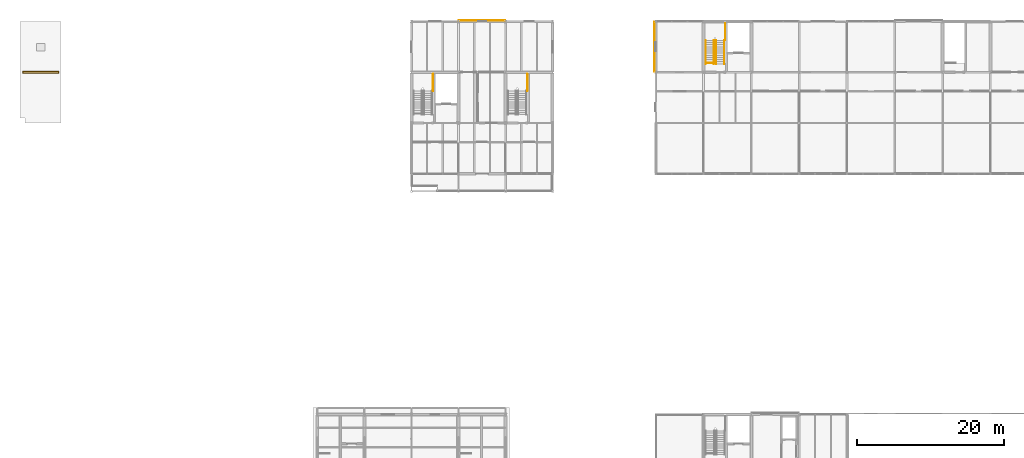
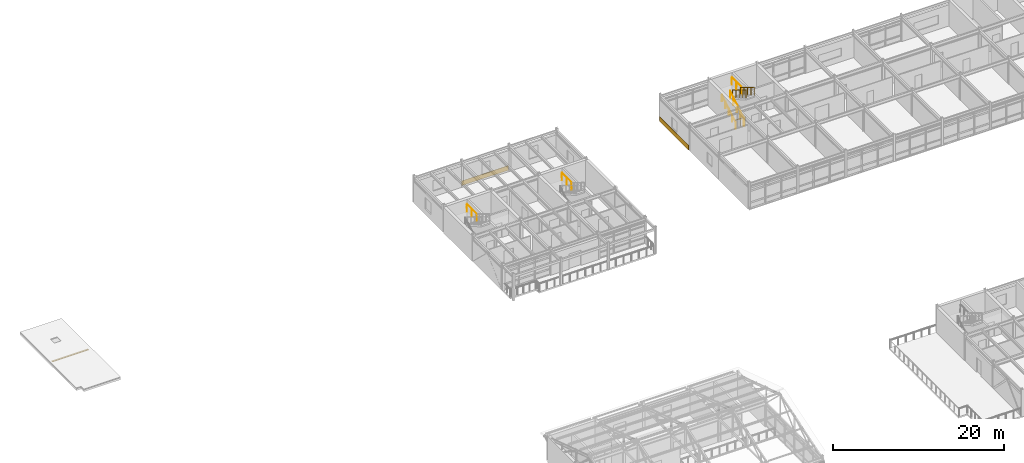
# One storey, part 56 of 57: 8 railings, 3 coverings.
"""IFC4 building model written with IfcOpenShell, lengths in metres."""

from ifc_helpers import new_model, si_unit, direction, frame, origin, origin_2d, place, context, subcontext, project, spatial, rectangle, circle, extrude, material, layer, layer_set, type_object, element, save


model = new_model("IFC4")

# Units and contexts
model_context = context("Model", 3, precision=1e-05, world=origin(), true_north=direction((0.0, 1.0)))
body_context = subcontext(model_context, "Body", "Model", "MODEL_VIEW")
ifc_project = project(units=[si_unit("LENGTHUNIT", "METRE"), si_unit("AREAUNIT", "SQUARE_METRE"), si_unit("VOLUMEUNIT", "CUBIC_METRE"), si_unit("PLANEANGLEUNIT", "RADIAN"), si_unit("MASSUNIT", "GRAM", prefix="KILO")], contexts=[model_context])

# Site, building, storey
site_placement = place(None, origin())
site = spatial("IfcSite", under=ifc_project, at=site_placement, CompositionType="ELEMENT")
building_placement = place(site_placement, origin())
building = spatial("IfcBuilding", under=site, at=building_placement, Name="Trelmorton Wharf Fire Station", CompositionType="ELEMENT")
storey_placement = place(building_placement, frame((0.0, 0.0, 13.5)))
storey = spatial("IfcBuildingStorey", under=building, at=storey_placement, Name="L03", CompositionType="ELEMENT", Elevation=13.5)

# Coverings
ifc_material_1 = material(Name="Architectural terracotta cladding", Category="masonry")
ifc_layer_1 = layer(ifc_material_1, 0.044921875)
ifc_layer_set_1 = layer_set([ifc_layer_1], Name="Architectural terracotta cladding")
covering_type_1 = type_object("IfcCoveringType", Name="CV_CLAD_TER", PredefinedType="CLADDING", material=ifc_layer_set_1)
covering_1_placement = place(storey_placement, frame((80.39990234375, 81.135009765625, 0.0302734375), z_axis=(0.0, 0.0, 1.0), x_axis=(1.0, 0.0, 0.0)))
element("IfcCovering", 1, at=covering_1_placement, inside=storey, type_object=covering_type_1, Name="CV-TER-0032", PredefinedType="CLADDING", context=body_context, shape_type="SweptSolid", body=[
    extrude(rectangle(XDim=6.27001953125, YDim=0.044921875, at=origin_2d()), origin(), (0.0, 0.0, 1.0), 0.659912109375),
])
covering_2_placement = place(storey_placement, frame((103.8349609375, 77.550048828125, 0.0302734375), z_axis=(0.0, 0.0, 1.0), x_axis=(0.0, 1.0, 0.0)))
element("IfcCovering", 2, at=covering_2_placement, inside=storey, type_object=covering_type_1, Name="CV-TER-0046", PredefinedType="CLADDING", context=body_context, shape_type="SweptSolid", body=[
    extrude(rectangle(XDim=6.77001953125, YDim=0.044921875, at=origin_2d()), origin(), (0.0, 0.0, 1.0), 0.659912109375),
])
ifc_material_2 = material(Name="Colorsteel standing-seam roofing", Category="steel")
ifc_layer_2 = layer(ifc_material_2, 0.02490234375)
ifc_layer_set_2 = layer_set([ifc_layer_2], Name="Colorsteel standing-seam roofing")
covering_type_2 = type_object("IfcCoveringType", Name="CV_ROOF_MEM", PredefinedType="ROOFING", material=ifc_layer_set_2)
covering_3_placement = place(storey_placement, frame((20.39990234375, 74.10009765625, -0.00439453125), z_axis=(0.0, 0.0, 1.0), x_axis=(1.0, 0.0, 0.0)))
element("IfcCovering", 3, at=covering_3_placement, inside=storey, type_object=covering_type_2, Name="CV-RF-HH-2", PredefinedType="ROOFING", context=body_context, shape_type="SweptSolid", body=[
    extrude(rectangle(XDim=4.89990234375, YDim=0.25, at=origin_2d()), origin(), (0.0, 0.0, 1.0), 0.02490234375),
])

# Railings
ifc_material_3 = material(Name="Stainless steel 316 marine grade", Category="steel")
railing_type_1 = type_object("IfcRailingType", Name="RL_HAND_900", PredefinedType="HANDRAIL", material=ifc_material_3)
railing_1_placement = place(storey_placement, frame((110.81005859375, 75.239990234375, 0.0)))
element("IfcRailing", 4, at=railing_1_placement, inside=storey, type_object=railing_type_1, Name="RL-HR1-STR-C7-L03-36", PredefinedType="HANDRAIL", context=body_context, shape_type="SweptSolid", body=[
    extrude(circle(Radius=0.02099609375, at=origin_2d()), frame((0.0, 0.0, 0.87890625), z_axis=(0.0, 0.853217260254, 0.521555660313), x_axis=(-1.0, 0.0, 0.0)), (0.0, 0.0, 1.0), 3.73876953125),
    extrude(circle(Radius=0.02099609375, at=origin_2d()), origin(), (0.0, 0.0, 1.0), 0.85791015625),
    extrude(circle(Radius=0.02099609375, at=origin_2d()), frame((0.0, 0.79736328125, 0.487548828125)), (0.0, 0.0, 1.0), 0.85791015625),
    extrude(circle(Radius=0.02099609375, at=origin_2d()), frame((0.0, 1.594970703125, 0.97509765625)), (0.0, 0.0, 1.0), 0.85791015625),
    extrude(circle(Radius=0.02099609375, at=origin_2d()), frame((0.0, 2.392578125, 1.46240234375)), (0.0, 0.0, 1.0), 0.85791015625),
    extrude(circle(Radius=0.02099609375, at=origin_2d()), frame((0.0, 3.18994140625, 1.949951171875)), (0.0, 0.0, 1.0), 0.85791015625),
])
railing_type_2 = type_object("IfcRailingType", Name="RL_WELL_1100", PredefinedType="BALUSTRADE", material=ifc_material_3)
for number, where, name in (
    (5, (73.7548828125, 73.85498046875, 1.949951171875), "RL-GW-OUT1-STR-C6-L03-24"),
    (6, (86.554931640625, 73.85498046875, 1.949951171875), "RL-GW-OUT1-STR-C6B-L03-30"),
):
    element("IfcRailing", number, at=place(storey_placement, frame(where)), inside=storey, type_object=railing_type_2, Name=name, PredefinedType="BALUSTRADE", context=body_context, shape_type="SweptSolid", body=[
        extrude(circle(Radius=0.02392578125, at=origin_2d()), frame((0.0, 0.0, 1.09619140625), z_axis=(0.0, -1.0, 0.0), x_axis=(1.0, 0.0, 0.0)), (0.0, 0.0, 1.0), 2.284912109375),
        extrude(circle(Radius=0.02099609375, at=origin_2d()), origin(), (0.0, 0.0, 1.0), 1.072021484375),
        extrude(circle(Radius=0.02099609375, at=origin_2d()), frame((0.0, -1.142578125, 0.0)), (0.0, 0.0, 1.0), 1.072021484375),
        extrude(circle(Radius=0.02099609375, at=origin_2d()), frame((0.0, -2.284912109375, 0.0)), (0.0, 0.0, 1.0), 1.072021484375),
    ])
railing_2_placement = place(storey_placement, frame((110.860107421875, 75.360107421875, 0.0)))
element("IfcRailing", 7, at=railing_2_placement, inside=storey, type_object=railing_type_2, Name="RL-UPWELL-STR-C7-L02-35", PredefinedType="BALUSTRADE", context=body_context, shape_type="SweptSolid", body=[
    extrude(circle(Radius=0.02392578125, at=origin_2d()), frame((0.0, 0.0, 1.09619140625), z_axis=(1.0, 0.0, 0.0), x_axis=(0.0, 1.0, 0.0)), (0.0, 0.0, 1.0), 1.3798828125),
    extrude(circle(Radius=0.02099609375, at=origin_2d()), origin(), (0.0, 0.0, 1.0), 1.072021484375),
    extrude(circle(Radius=0.02099609375, at=origin_2d()), frame((0.68994140625, 0.0, 0.0)), (0.0, 0.0, 1.0), 1.072021484375),
    extrude(circle(Radius=0.02099609375, at=origin_2d()), frame((1.3798828125, 0.0, 0.0)), (0.0, 0.0, 1.0), 1.072021484375),
])
railing_3_placement = place(storey_placement, frame((113.455078125, 80.7548828125, 1.949951171875)))
element("IfcRailing", 8, at=railing_3_placement, inside=storey, type_object=railing_type_2, Name="RL-GW-OUT1-STR-C7-L03-36", PredefinedType="BALUSTRADE", context=body_context, shape_type="SweptSolid", body=[
    extrude(circle(Radius=0.02392578125, at=origin_2d()), frame((0.0, 0.0, 1.09619140625), z_axis=(0.0, -1.0, 0.0), x_axis=(1.0, 0.0, 0.0)), (0.0, 0.0, 1.0), 2.284912109375),
    extrude(circle(Radius=0.02099609375, at=origin_2d()), origin(), (0.0, 0.0, 1.0), 1.072021484375),
    extrude(circle(Radius=0.02099609375, at=origin_2d()), frame((0.0, -1.142578125, 0.0)), (0.0, 0.0, 1.0), 1.072021484375),
    extrude(circle(Radius=0.02099609375, at=origin_2d()), frame((0.0, -2.284912109375, 0.0)), (0.0, 0.0, 1.0), 1.072021484375),
])
railing_4_placement = place(storey_placement, frame((113.31005859375, 78.429931640625, 1.949951171875)))
element("IfcRailing", 9, at=railing_4_placement, inside=storey, type_object=railing_type_2, Name="RL-GW-OUT2-STR-C7-L03-36", PredefinedType="BALUSTRADE", context=body_context, shape_type="SweptSolid", body=[
    extrude(circle(Radius=0.02392578125, at=origin_2d()), frame((0.0, 0.0, 1.09619140625), z_axis=(0.0, -0.853217260254, 0.521555660313), x_axis=(1.0, 0.0, 0.0)), (0.0, 0.0, 1.0), 3.73876953125),
    extrude(circle(Radius=0.02099609375, at=origin_2d()), origin(), (0.0, 0.0, 1.0), 1.072021484375),
    extrude(circle(Radius=0.02099609375, at=origin_2d()), frame((0.0, -0.79736328125, 0.487548828125)), (0.0, 0.0, 1.0), 1.072021484375),
    extrude(circle(Radius=0.02099609375, at=origin_2d()), frame((0.0, -1.594970703125, 0.97509765625)), (0.0, 0.0, 1.0), 1.072021484375),
    extrude(circle(Radius=0.02099609375, at=origin_2d()), frame((0.0, -2.392578125, 1.46240234375)), (0.0, 0.0, 1.0), 1.072021484375),
    extrude(circle(Radius=0.02099609375, at=origin_2d()), frame((0.0, -3.18994140625, 1.949951171875)), (0.0, 0.0, 1.0), 1.072021484375),
])
railing_5_placement = place(storey_placement, frame((111.909912109375, 75.239990234375, 0.0)))
element("IfcRailing", 10, at=railing_5_placement, inside=storey, type_object=railing_type_2, Name="RL-GW-IN1-STR-C7-L03-36", PredefinedType="BALUSTRADE", context=body_context, shape_type="SweptSolid", body=[
    extrude(circle(Radius=0.02392578125, at=origin_2d()), frame((0.0, 0.0, 1.09619140625), z_axis=(0.0, 0.853217260254, 0.521555660313), x_axis=(-1.0, 0.0, 0.0)), (0.0, 0.0, 1.0), 3.73876953125),
    extrude(circle(Radius=0.02099609375, at=origin_2d()), origin(), (0.0, 0.0, 1.0), 1.072021484375),
    extrude(circle(Radius=0.02099609375, at=origin_2d()), frame((0.0, 0.79736328125, 0.487548828125)), (0.0, 0.0, 1.0), 1.072021484375),
    extrude(circle(Radius=0.02099609375, at=origin_2d()), frame((0.0, 1.594970703125, 0.97509765625)), (0.0, 0.0, 1.0), 1.072021484375),
    extrude(circle(Radius=0.02099609375, at=origin_2d()), frame((0.0, 2.392578125, 1.46240234375)), (0.0, 0.0, 1.0), 1.072021484375),
    extrude(circle(Radius=0.02099609375, at=origin_2d()), frame((0.0, 3.18994140625, 1.949951171875)), (0.0, 0.0, 1.0), 1.072021484375),
])
railing_6_placement = place(storey_placement, frame((112.2099609375, 78.429931640625, 1.949951171875)))
element("IfcRailing", 11, at=railing_6_placement, inside=storey, type_object=railing_type_2, Name="RL-GW-IN2-STR-C7-L03-36", PredefinedType="BALUSTRADE", context=body_context, shape_type="SweptSolid", body=[
    extrude(circle(Radius=0.02392578125, at=origin_2d()), frame((0.0, 0.0, 1.09619140625), z_axis=(0.0, -0.853217260254, 0.521555660313), x_axis=(1.0, 0.0, 0.0)), (0.0, 0.0, 1.0), 3.73876953125),
    extrude(circle(Radius=0.02099609375, at=origin_2d()), origin(), (0.0, 0.0, 1.0), 1.072021484375),
    extrude(circle(Radius=0.02099609375, at=origin_2d()), frame((0.0, -0.79736328125, 0.487548828125)), (0.0, 0.0, 1.0), 1.072021484375),
    extrude(circle(Radius=0.02099609375, at=origin_2d()), frame((0.0, -1.594970703125, 0.97509765625)), (0.0, 0.0, 1.0), 1.072021484375),
    extrude(circle(Radius=0.02099609375, at=origin_2d()), frame((0.0, -2.392578125, 1.46240234375)), (0.0, 0.0, 1.0), 1.072021484375),
    extrude(circle(Radius=0.02099609375, at=origin_2d()), frame((0.0, -3.18994140625, 1.949951171875)), (0.0, 0.0, 1.0), 1.072021484375),
])

save(model, "model.ifc")
